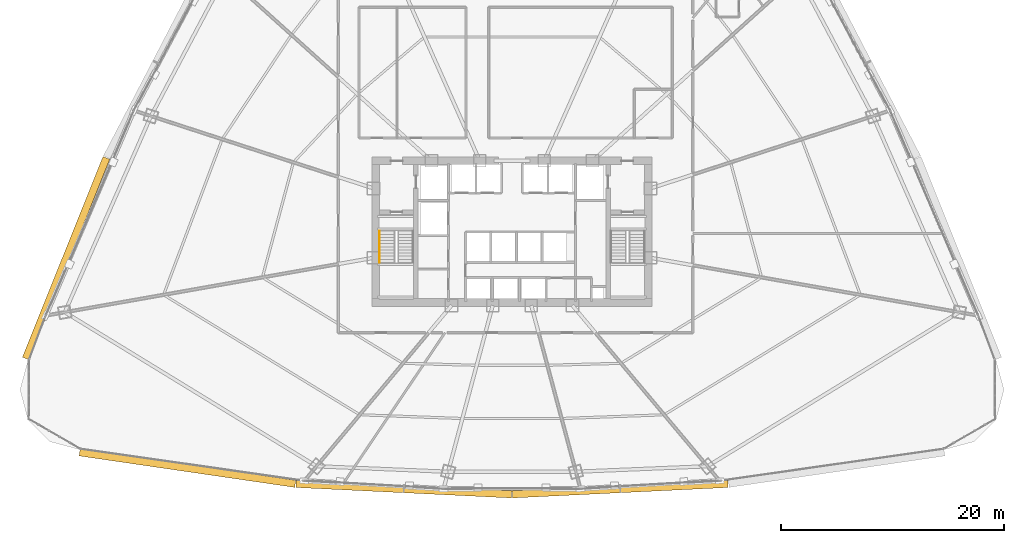
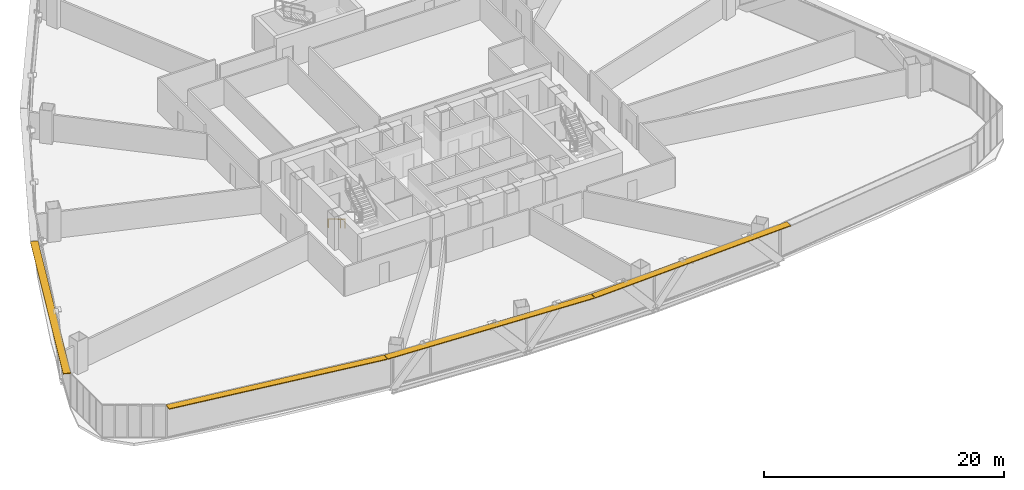
# One storey, part 39 of 42: 4 shading devices, 1 railing.
"""IFC4 building model written with IfcOpenShell, lengths in metres."""

from ifc_helpers import new_model, si_unit, direction, frame, origin, origin_2d, place, context, subcontext, project, spatial, rectangle, extrude, source, transform, mapped, material, layer, layer_set, type_object, element, save


model = new_model("IFC4")

# Units and contexts
model_context = context("Model", 3, precision=1e-05, world=origin(), true_north=direction((0.0, 1.0)))
body_context = subcontext(model_context, "Body", "Model", "MODEL_VIEW")
ifc_project = project(units=[si_unit("LENGTHUNIT", "METRE"), si_unit("AREAUNIT", "SQUARE_METRE"), si_unit("VOLUMEUNIT", "CUBIC_METRE"), si_unit("PLANEANGLEUNIT", "RADIAN"), si_unit("MASSUNIT", "GRAM", prefix="KILO"), si_unit("THERMODYNAMICTEMPERATUREUNIT", "KELVIN"), si_unit("POWERUNIT", "WATT")], contexts=[model_context])

# Site, building, storey
site_placement = place(None, origin())
site = spatial("IfcSite", under=ifc_project, at=site_placement, CompositionType="ELEMENT")
building_placement = place(site_placement, origin())
building = spatial("IfcBuilding", under=site, at=building_placement, Name="Yunzhuo Pagoda Commons", CompositionType="ELEMENT")
storey_placement = place(building_placement, frame((0.0, 0.0, 48.550048828125)))
storey = spatial("IfcBuildingStorey", under=building, at=storey_placement, Name="L12", CompositionType="ELEMENT", Elevation=48.550048828125)

# Railing
ifc_material = material(Name="Anodized aluminium 6063-T6", Category="aluminium")
railing_type = type_object("IfcRailingType", Name="HR-ST1 Stair Handrail 900", PredefinedType="HANDRAIL", material=ifc_material)
railing_placement = place(storey_placement, frame((36.14990234375, 33.89990234375, 0.1650390625)))
element("IfcRailing", 1, at=railing_placement, inside=storey, type_object=railing_type, Name="L12 ST1 stair handrail 1", PredefinedType="HANDRAIL", context=body_context, shape_type="SweptSolid", body=[
    extrude(rectangle(XDim=0.048095703125, YDim=0.048095703125, at=origin_2d()), frame((0.0, 0.0, 0.8759765625), z_axis=(0.0, -0.861536114422, 0.507696290658), x_axis=(1.0, 0.0, 0.0)), (0.0, 0.0, 1.0), 3.249755859375),
    extrude(rectangle(XDim=0.0419921875, YDim=0.0419921875, at=origin_2d()), origin(), (0.0, 0.0, 1.0), 0.851806640625),
    extrude(rectangle(XDim=0.0419921875, YDim=0.0419921875, at=origin_2d()), frame((0.0, -2.067626953125, 1.218505859375)), (0.0, 0.0, 1.0), 0.851806640625),
    extrude(rectangle(XDim=0.0419921875, YDim=0.0419921875, at=origin_2d()), frame((0.0, -2.7998046875, 1.64990234375)), (0.0, 0.0, 1.0), 0.851806640625),
])

# Shading devices
ifc_layer = layer(ifc_material, 0.080078125)
ifc_layer_set = layer_set([ifc_layer], Name="Anodized aluminium 6063-T6")
shading_device_type = type_object("IfcShadingDeviceType", Name="SH-SUN1 Pagoda Horizontal Sunshade Eave 650", PredefinedType="USERDEFINED", material=ifc_layer_set)
shared_shape_1 = source(origin(), body_context, "Body", "SweptSolid", [
    extrude(rectangle(XDim=19.519287109375, YDim=0.64990234375, at=origin_2d()), origin(), (0.0, 0.0, 1.0), 0.080078125),
])
shading_device_1_placement = place(storey_placement, frame((18.93408203125, 12.681884765625, 3.289794921875), z_axis=(0.0, 0.0, 1.0), x_axis=(0.989510666697, -0.144459823108, 0.0)))
element("IfcShadingDevice", 2, at=shading_device_1_placement, inside=storey, type_object=shading_device_type, Name="L12 horizontal pagoda sunshade eave F1.1", ObjectType="SUNSHADE", PredefinedType="USERDEFINED", context=body_context, shape_type="MappedRepresentation", body=[
    mapped(shared_shape_1, transform((0.0, 0.0, 0.0), scale=1.0)),
])
shared_shape_2 = source(origin(), body_context, "Body", "SweptSolid", [
    extrude(rectangle(XDim=19.3369140625, YDim=0.64990234375, at=origin_2d()), origin(), (0.0, 0.0, 1.0), 0.080078125),
])
for number, where, z_axis, x_axis, name in (
    (3, (38.311279296875, 10.796142578125, 3.289794921875), (0.0, 0.0, 1.0), (0.998818043775, -0.04860571396, 0.0), "L12 horizontal pagoda sunshade eave F1.2"),
    (4, (57.688720703125, 10.796142578125, 3.289794921875), (0.0, 0.0, 1.0), (0.998818043775, 0.04860571396, 0.0), "L12 horizontal pagoda sunshade eave F1.3"),
):
    element("IfcShadingDevice", number, at=place(storey_placement, frame(where, z_axis=z_axis, x_axis=x_axis)), inside=storey, type_object=shading_device_type, Name=name, ObjectType="SUNSHADE", PredefinedType="USERDEFINED", context=body_context, shape_type="MappedRepresentation", body=[
        mapped(shared_shape_2, transform((0.0, 0.0, 0.0), scale=1.0)),
    ])
shared_shape_3 = source(origin(), body_context, "Body", "SweptSolid", [
    extrude(rectangle(XDim=19.3623046875, YDim=0.64990234375, at=origin_2d()), origin(), (0.0, 0.0, 1.0), 0.080078125),
])
shading_device_2_placement = place(storey_placement, frame((8.064208984375, 31.47509765625, 3.289794921875), z_axis=(0.0, 0.0, 1.0), x_axis=(-0.372987782576, -0.927836253899, 0.0)))
element("IfcShadingDevice", 5, at=shading_device_2_placement, inside=storey, type_object=shading_device_type, Name="L12 horizontal pagoda sunshade eave F3.4", ObjectType="SUNSHADE", PredefinedType="USERDEFINED", context=body_context, shape_type="MappedRepresentation", body=[
    mapped(shared_shape_3, transform((0.0, 0.0, 0.0), scale=1.0)),
])

save(model, "model.ifc")
